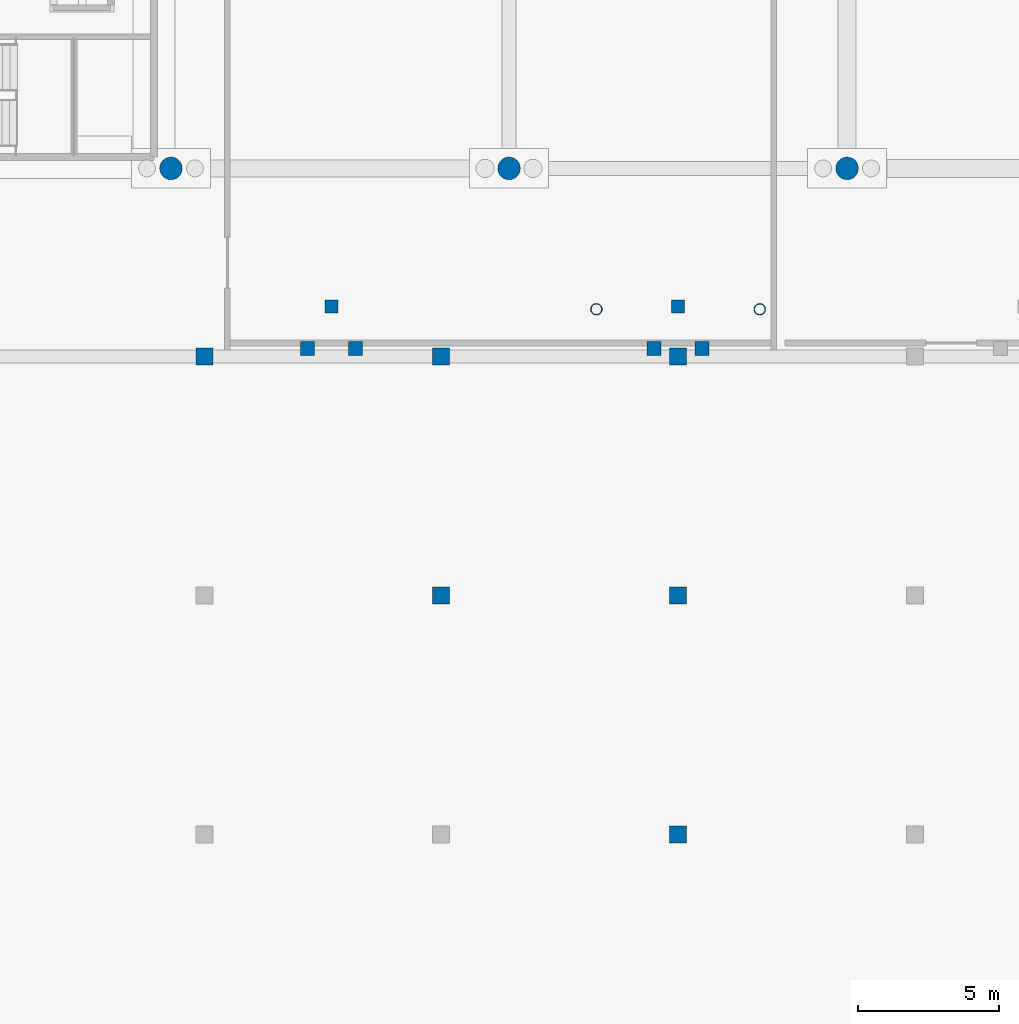
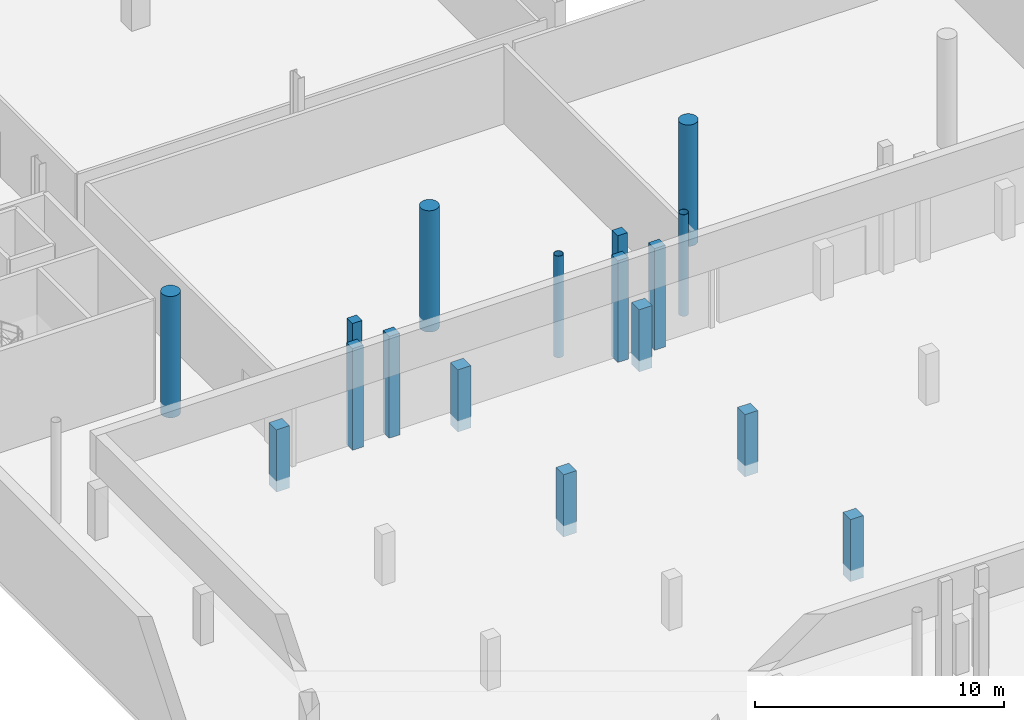
# One storey, part 12 of 42: 17 columns.
"""IFC4 building model written with IfcOpenShell, lengths in metres."""

from ifc_helpers import new_model, si_unit, direction, frame, origin, origin_2d, place, context, subcontext, project, spatial, rectangle, circle, hollow_circle, extrude, material, material_profile, profile_set, type_object, element, save


model = new_model("IFC4")

# Units and contexts
model_context = context("Model", 3, precision=1e-05, world=origin(), true_north=direction((0.0, 1.0)))
body_context = subcontext(model_context, "Body", "Model", "MODEL_VIEW")
ifc_project = project(units=[si_unit("LENGTHUNIT", "METRE"), si_unit("AREAUNIT", "SQUARE_METRE"), si_unit("VOLUMEUNIT", "CUBIC_METRE"), si_unit("PLANEANGLEUNIT", "RADIAN"), si_unit("MASSUNIT", "GRAM", prefix="KILO"), si_unit("THERMODYNAMICTEMPERATUREUNIT", "KELVIN"), si_unit("POWERUNIT", "WATT")], contexts=[model_context])

# Site, building, storey
site_placement = place(None, origin())
site = spatial("IfcSite", under=ifc_project, at=site_placement, CompositionType="ELEMENT")
building_placement = place(site_placement, origin())
building = spatial("IfcBuilding", under=site, at=building_placement, Name="Solmara Park Aquatics Centre", CompositionType="ELEMENT")
storey_placement = place(building_placement, frame((0.0, 0.0, -5.39990234375)))
storey = spatial("IfcBuildingStorey", under=building, at=storey_placement, Name="B1", CompositionType="ELEMENT", Elevation=-5.39990234375)

# Columns
ifc_material_1 = material(Name="Structural Steel S355", Category="steel")
ifc_material_profile_1 = material_profile(ifc_material_1, hollow_circle(Radius=0.203125, WallThickness=0.01611328125, at=origin_2d()), Name="CHS 406.4x16")
ifc_profile_set_1 = profile_set([ifc_material_profile_1], Name="Structural Steel S355")
column_type_1 = type_object("IfcColumnType", Name="STR-COL-CHS406", PredefinedType="COLUMN", material=ifc_profile_set_1)
for number, where, z_axis, x_axis, name in (
    (1, (51.699951171875, 57.0, 0.0), (0.0, 0.0, 1.0), (1.0, 0.0, 0.0), "Upper Stand Front Column B1 N1-2"),
    (2, (57.5, 57.0, 0.0), (0.0, 0.0, 1.0), (1.0, 0.0, 0.0), "Upper Stand Front Column B1 N2-1"),
):
    element("IfcColumn", number, at=place(storey_placement, frame(where, z_axis=z_axis, x_axis=x_axis)), inside=storey, type_object=column_type_1, Name=name, PredefinedType="COLUMN", context=body_context, shape_type="SweptSolid", body=[
        extrude(hollow_circle(Radius=0.203125, WallThickness=0.01611328125, at=origin_2d()), origin(), (0.0, 0.0, 1.0), 4.97998046875),
    ])
ifc_material_2 = material(Name="Concrete C40/50", Category="concrete")
ifc_material_profile_2 = material_profile(ifc_material_2, rectangle(XDim=0.449951171875, YDim=0.449951171875, at=origin_2d()), Name="RC 450x450")
ifc_profile_set_2 = profile_set([ifc_material_profile_2], Name="Concrete C40/50")
column_type_2 = type_object("IfcColumnType", Name="STR-COL-RC450", PredefinedType="COLUMN", material=ifc_profile_set_2)
for number, where, z_axis, x_axis, name in (
    (3, (42.300048828125, 57.10009765625, 0.0), (0.0, 0.0, 1.0), (1.0, 0.0, 0.0), "Vomitory Stair VS-01 Support Column B1-3"),
    (4, (54.60009765625, 57.10009765625, 0.0), (0.0, 0.0, 1.0), (1.0, 0.0, 0.0), "Vomitory Stair VS-05 Support Column B1-3"),
):
    element("IfcColumn", number, at=place(storey_placement, frame(where, z_axis=z_axis, x_axis=x_axis)), inside=storey, type_object=column_type_2, Name=name, PredefinedType="COLUMN", context=body_context, shape_type="SweptSolid", body=[
        extrude(rectangle(XDim=0.449951171875, YDim=0.449951171875, at=origin_2d()), origin(), (0.0, 0.0, 1.0), 4.97998046875),
    ])
ifc_material_profile_3 = material_profile(ifc_material_2, rectangle(XDim=0.5, YDim=0.5, at=origin_2d()), Name="RC 500x500")
ifc_profile_set_3 = profile_set([ifc_material_profile_3], Name="Concrete C40/50")
column_type_3 = type_object("IfcColumnType", Name="STR-COL-RC500", PredefinedType="COLUMN", material=ifc_profile_set_3)
for number, where, z_axis, x_axis, name in (
    (5, (41.449951171875, 55.60009765625, 0.0), (0.0, 0.0, 1.0), (1.0, 0.0, 0.0), "Vomitory B1 Support Column 01"),
    (6, (43.14990234375, 55.60009765625, 0.0), (0.0, 0.0, 1.0), (1.0, 0.0, 0.0), "Vomitory B1 Support Column 02"),
    (7, (53.75, 55.60009765625, 0.0), (0.0, 0.0, 1.0), (1.0, 0.0, 0.0), "Vomitory B1 Support Column 09"),
    (8, (55.449951171875, 55.60009765625, 0.0), (0.0, 0.0, 1.0), (1.0, 0.0, 0.0), "Vomitory B1 Support Column 10"),
):
    element("IfcColumn", number, at=place(storey_placement, frame(where, z_axis=z_axis, x_axis=x_axis)), inside=storey, type_object=column_type_3, Name=name, PredefinedType="COLUMN", context=body_context, shape_type="SweptSolid", body=[
        extrude(rectangle(XDim=0.5, YDim=0.5, at=origin_2d()), origin(), (0.0, 0.0, 1.0), 4.97998046875),
    ])
ifc_material_profile_4 = material_profile(ifc_material_2, rectangle(XDim=0.60009765625, YDim=0.60009765625, at=origin_2d()), Name="RC 600x600")
ifc_profile_set_4 = profile_set([ifc_material_profile_4], Name="Concrete C40/50")
column_type_4 = type_object("IfcColumnType", Name="STR-COL-RC600", PredefinedType="COLUMN", material=ifc_profile_set_4)
for number, where, z_axis, x_axis, name in (
    (9, (37.783203125, 55.324951171875, -0.550048828125), (0.0, 0.0, 1.0), (1.0, 0.0, 0.0), "Pool Tank Support Column 008"),
    (10, (46.191650390625, 46.841796875, -0.550048828125), (0.0, 0.0, 1.0), (1.0, 0.0, 0.0), "Pool Tank Support Column 011"),
    (11, (46.191650390625, 55.324951171875, -0.550048828125), (0.0, 0.0, 1.0), (1.0, 0.0, 0.0), "Pool Tank Support Column 012"),
    (12, (54.60009765625, 38.3583984375, -0.550048828125), (0.0, 0.0, 1.0), (1.0, 0.0, 0.0), "Pool Tank Support Column 014"),
    (13, (54.60009765625, 46.841796875, -0.550048828125), (0.0, 0.0, 1.0), (1.0, 0.0, 0.0), "Pool Tank Support Column 015"),
    (14, (54.60009765625, 55.324951171875, -0.550048828125), (0.0, 0.0, 1.0), (1.0, 0.0, 0.0), "Pool Tank Support Column 016"),
):
    element("IfcColumn", number, at=place(storey_placement, frame(where, z_axis=z_axis, x_axis=x_axis)), inside=storey, type_object=column_type_4, Name=name, PredefinedType="COLUMN", context=body_context, shape_type="SweptSolid", body=[
        extrude(rectangle(XDim=0.60009765625, YDim=0.60009765625, at=origin_2d()), origin(), (0.0, 0.0, 1.0), 3.050048828125),
    ])
ifc_material_profile_5 = material_profile(ifc_material_2, circle(Radius=0.39990234375, at=origin_2d()), Name="RC COL D800")
ifc_profile_set_5 = profile_set([ifc_material_profile_5], Name="Concrete C40/50")
column_type_5 = type_object("IfcColumnType", Name="STR-COL-RCD800", PredefinedType="COLUMN", material=ifc_profile_set_5)
for number, where, z_axis, x_axis, name in (
    (15, (36.60009765625, 62.0, -0.550048828125), (0.0, 0.0, 1.0), (1.0, 0.0, 0.0), "Column B1-0022"),
    (16, (48.60009765625, 62.0, -0.550048828125), (0.0, 0.0, 1.0), (1.0, 0.0, 0.0), "Column B1-0032"),
    (17, (60.60009765625, 62.0, -0.550048828125), (0.0, 0.0, 1.0), (1.0, 0.0, 0.0), "Column B1-0042"),
):
    element("IfcColumn", number, at=place(storey_placement, frame(where, z_axis=z_axis, x_axis=x_axis)), inside=storey, type_object=column_type_5, Name=name, PredefinedType="COLUMN", context=body_context, shape_type="SweptSolid", body=[
        extrude(circle(Radius=0.39990234375, at=origin_2d()), origin(), (0.0, 0.0, 1.0), 5.949951171875),
    ])

save(model, "model.ifc")
